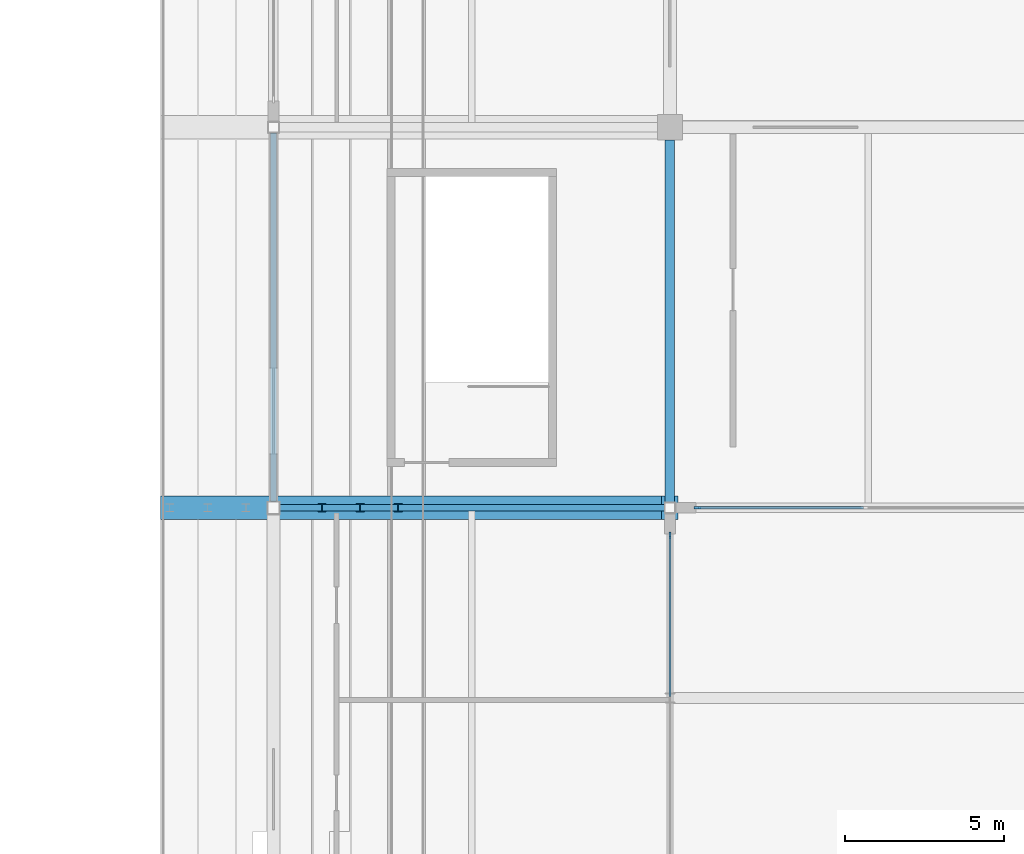
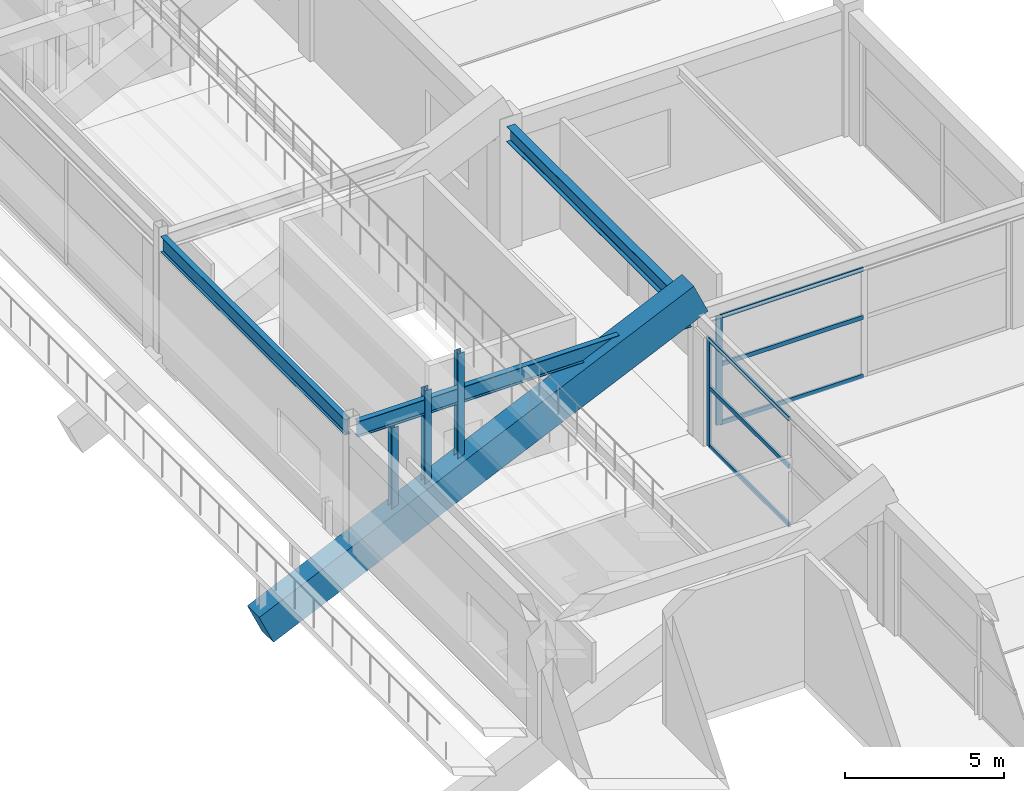
# One storey, part 55 of 128: 11 members, 4 beams, 2 elements without a shape of their own.
"""IFC4 building model written with IfcOpenShell, lengths in metres."""

from ifc_helpers import new_model, si_unit, direction, frame, origin, origin_2d, place, context, subcontext, project, spatial, rectangle, i_section, extrude, material, layer, layer_set, material_profile, profile_set, type_object, element, aggregate, save


model = new_model("IFC4")

# Units and contexts
model_context = context("Model", 3, precision=1e-05, world=origin(), true_north=direction((0.0, 1.0)))
body_context = subcontext(model_context, "Body", "Model", "MODEL_VIEW")
ifc_project = project(units=[si_unit("LENGTHUNIT", "METRE"), si_unit("AREAUNIT", "SQUARE_METRE"), si_unit("VOLUMEUNIT", "CUBIC_METRE"), si_unit("PLANEANGLEUNIT", "RADIAN"), si_unit("MASSUNIT", "GRAM", prefix="KILO")], contexts=[model_context])

# Site, building, storey
site_placement = place(None, origin())
site = spatial("IfcSite", under=ifc_project, at=site_placement, CompositionType="ELEMENT")
building_placement = place(site_placement, origin())
building = spatial("IfcBuilding", under=site, at=building_placement, Name="Kazenohara Klinker Stadium", CompositionType="ELEMENT")
storey_placement = place(building_placement, frame((0.0, 0.0, 15.300048828125)))
storey = spatial("IfcBuildingStorey", under=building, at=storey_placement, Name="L03", CompositionType="ELEMENT", Elevation=15.300048828125)

# Beams
ifc_material_1 = material(Name="Steel S355", Category="steel")
ifc_material_profile_1 = material_profile(ifc_material_1, i_section(OverallWidth=0.199951171875, OverallDepth=0.60009765625, WebThickness=0.010986328125, FlangeThickness=0.01708984375, FilletRadius=0.012939453125, at=origin_2d()), Name="H-600x200x11x17")
ifc_profile_set_1 = profile_set([ifc_material_profile_1], Name="Steel S355")
beam_type_1 = type_object("IfcBeamType", Name="BM-ST04", PredefinedType="BEAM", material=ifc_profile_set_1)
beam_1_placement = place(storey_placement, frame((175.199951171875, 96.0, 4.4599609375), z_axis=(1.0, 0.0, 0.0), x_axis=(0.0, 1.0, 0.0)))
element("IfcBeam", 1, at=beam_1_placement, inside=storey, type_object=beam_type_1, Name="Primary girder SB04 L03 15-16/J", PredefinedType="BEAM", context=body_context, shape_type="SweptSolid", body=[
    extrude(i_section(OverallWidth=0.199951171875, OverallDepth=0.60009765625, WebThickness=0.010986328125, FlangeThickness=0.01708984375, FilletRadius=0.012939453125, at=origin_2d()), origin(), (0.0, 0.0, 1.0), 12.125),
])
beam_2_placement = place(storey_placement, frame((175.0, 96.199951171875, 4.4599609375), z_axis=(0.0, 1.0, 0.0), x_axis=(-1.0, 0.0, 0.0)))
element("IfcBeam", 2, at=beam_2_placement, inside=storey, type_object=beam_type_1, Name="Primary girder SB04 L03 15/J-K", PredefinedType="BEAM", context=body_context, shape_type="SweptSolid", body=[
    extrude(i_section(OverallWidth=0.199951171875, OverallDepth=0.60009765625, WebThickness=0.010986328125, FlangeThickness=0.01708984375, FilletRadius=0.012939453125, at=origin_2d()), origin(), (0.0, 0.0, 1.0), 11.625),
])
ifc_material_profile_2 = material_profile(ifc_material_1, i_section(OverallWidth=0.300048828125, OverallDepth=0.587890625, WebThickness=0.011962890625, FlangeThickness=0.02001953125, FilletRadius=0.02197265625, at=origin_2d()), Name="H-588x300x12x20")
ifc_profile_set_2 = profile_set([ifc_material_profile_2], Name="Steel S355")
beam_type_2 = type_object("IfcBeamType", Name="BM-ST05", PredefinedType="BEAM", material=ifc_profile_set_2)
beam_3_placement = place(storey_placement, frame((187.5, 96.175048828125, 4.466064453125), z_axis=(0.0, 1.0, 0.0), x_axis=(-1.0, 0.0, 0.0)))
element("IfcBeam", 3, at=beam_3_placement, inside=storey, type_object=beam_type_2, Name="Primary girder SB05 L03 16/J-K", PredefinedType="BEAM", context=body_context, shape_type="SweptSolid", body=[
    extrude(i_section(OverallWidth=0.300048828125, OverallDepth=0.587890625, WebThickness=0.011962890625, FlangeThickness=0.02001953125, FilletRadius=0.02197265625, at=origin_2d()), origin(), (0.0, 0.0, 1.0), 11.425048828125),
])

# Curtain wall, member
ifc_material_2 = material(Name="Anodised aluminium and triple glazing", Category="aluminium")
ifc_layer_1 = layer(ifc_material_2, 0.18994140625)
ifc_layer_set_1 = layer_set([ifc_layer_1], Name="Anodised aluminium and triple glazing")
curtain_wall_type_1 = type_object("IfcCurtainWallType", Name="CW-SYS-05", PredefinedType="USERDEFINED", material=ifc_layer_set_1)
curtain_wall_1_placement = place(storey_placement, origin())
curtain_wall_1 = element("IfcCurtainWall", 4, at=curtain_wall_1_placement, inside=storey, type_object=curtain_wall_type_1, Name="Unitised facade curtain wall CW05 L03 Y15-7", ObjectType="UNITISED CURTAIN WALL", PredefinedType="USERDEFINED")
ifc_material_3 = material(Name="Anodised aluminium 6063-T6", Category="aluminium")
ifc_material_profile_3 = material_profile(ifc_material_3, rectangle(XDim=0.074951171875, YDim=0.219970703125, at=origin_2d()), Name="ALU-MUL-75x220")
ifc_profile_set_3 = profile_set([ifc_material_profile_3], Name="Anodised aluminium 6063-T6")
member_type_1 = type_object("IfcMemberType", Name="CW-MUL-220", PredefinedType="MULLION", material=ifc_profile_set_3)
member_1_placement = place(storey_placement, frame((187.5, 95.133544921875, 0.0), z_axis=(0.0, 0.0, 1.0), x_axis=(-1.0, 0.0, 0.0)))
member_1 = element("IfcMember", 5, at=member_1_placement, type_object=member_type_1, Name="CW05 mullion 3", PredefinedType="MULLION", context=body_context, shape_type="SweptSolid", body=[
    extrude(rectangle(XDim=0.074951171875, YDim=0.219970703125, at=origin_2d()), origin(), (0.0, 0.0, 1.0), 4.159912109375),
])

ifc_layer_2 = layer(ifc_material_2, 0.179931640625)
ifc_layer_set_2 = layer_set([ifc_layer_2], Name="Anodised aluminium and triple glazing")
curtain_wall_type_2 = type_object("IfcCurtainWallType", Name="CW-SYS-02", PredefinedType="USERDEFINED", material=ifc_layer_set_2)
curtain_wall_2_placement = place(storey_placement, origin())
curtain_wall_2 = element("IfcCurtainWall", 6, at=curtain_wall_2_placement, inside=storey, type_object=curtain_wall_type_2, Name="Unitised facade curtain wall CW02 L03 X15-8", ObjectType="UNITISED CURTAIN WALL", PredefinedType="USERDEFINED")
member_2_placement = place(storey_placement, frame((188.366455078125, 96.0, 0.0), z_axis=(0.0, 0.0, 1.0), x_axis=(0.0, 1.0, 0.0)))
member_2 = element("IfcMember", 7, at=member_2_placement, type_object=member_type_1, Name="CW02 mullion 1", PredefinedType="MULLION", context=body_context, shape_type="SweptSolid", body=[
    extrude(rectangle(XDim=0.074951171875, YDim=0.219970703125, at=origin_2d()), origin(), (0.0, 0.0, 1.0), 4.171875),
])

# Member
ifc_material_profile_4 = material_profile(ifc_material_3, rectangle(XDim=0.074951171875, YDim=0.159912109375, at=origin_2d()), Name="ALU-TRN-75x160")
ifc_profile_set_4 = profile_set([ifc_material_profile_4], Name="Anodised aluminium 6063-T6")
member_type_2 = type_object("IfcMemberType", Name="CW-TRN-160", PredefinedType="USERDEFINED", material=ifc_profile_set_4)
member_3_placement = place(storey_placement, frame((187.5, 90.050048828125, 0.037353515625), z_axis=(0.0, 1.0, 0.0), x_axis=(-1.0, 0.0, 0.0)))
member_3 = element("IfcMember", 8, at=member_3_placement, type_object=member_type_2, Name="CW05 transom 2.1", ObjectType="TRANSOM", PredefinedType="USERDEFINED", context=body_context, shape_type="SweptSolid", body=[
    extrude(rectangle(XDim=0.074951171875, YDim=0.159912109375, at=origin_2d()), origin(), (0.0, 0.0, 1.0), 5.0458984375),
])

member_4_placement = place(storey_placement, frame((187.5, 90.050048828125, 2.287841796875), z_axis=(0.0, 1.0, 0.0), x_axis=(-1.0, 0.0, 0.0)))
member_4 = element("IfcMember", 9, at=member_4_placement, type_object=member_type_2, Name="CW05 transom 2.2", ObjectType="TRANSOM", PredefinedType="USERDEFINED", context=body_context, shape_type="SweptSolid", body=[
    extrude(rectangle(XDim=0.074951171875, YDim=0.159912109375, at=origin_2d()), origin(), (0.0, 0.0, 1.0), 5.0458984375),
])

member_5_placement = place(storey_placement, frame((187.5, 90.050048828125, 4.12255859375), z_axis=(0.0, 1.0, 0.0), x_axis=(-1.0, 0.0, 0.0)))
member_5 = element("IfcMember", 10, at=member_5_placement, type_object=member_type_2, Name="CW05 transom 2.3", ObjectType="TRANSOM", PredefinedType="USERDEFINED", context=body_context, shape_type="SweptSolid", body=[
    extrude(rectangle(XDim=0.074951171875, YDim=0.159912109375, at=origin_2d()), origin(), (0.0, 0.0, 1.0), 5.0458984375),
])

aggregate(curtain_wall_1, [member_1, member_3, member_4, member_5])

member_6_placement = place(storey_placement, frame((188.404052734375, 96.0, 0.037353515625), z_axis=(1.0, 0.0, 0.0), x_axis=(0.0, 1.0, 0.0)))
member_6 = element("IfcMember", 11, at=member_6_placement, type_object=member_type_2, Name="CW02 transom 1.1", ObjectType="TRANSOM", PredefinedType="USERDEFINED", context=body_context, shape_type="SweptSolid", body=[
    extrude(rectangle(XDim=0.074951171875, YDim=0.159912109375, at=origin_2d()), origin(), (0.0, 0.0, 1.0), 5.196044921875),
])

member_7_placement = place(storey_placement, frame((188.404052734375, 96.0, 2.29443359375), z_axis=(1.0, 0.0, 0.0), x_axis=(0.0, 1.0, 0.0)))
member_7 = element("IfcMember", 12, at=member_7_placement, type_object=member_type_2, Name="CW02 transom 1.2", ObjectType="TRANSOM", PredefinedType="USERDEFINED", context=body_context, shape_type="SweptSolid", body=[
    extrude(rectangle(XDim=0.074951171875, YDim=0.159912109375, at=origin_2d()), origin(), (0.0, 0.0, 1.0), 5.196044921875),
])

member_8_placement = place(storey_placement, frame((188.404052734375, 96.0, 4.134521484375), z_axis=(1.0, 0.0, 0.0), x_axis=(0.0, 1.0, 0.0)))
member_8 = element("IfcMember", 13, at=member_8_placement, type_object=member_type_2, Name="CW02 transom 1.3", ObjectType="TRANSOM", PredefinedType="USERDEFINED", context=body_context, shape_type="SweptSolid", body=[
    extrude(rectangle(XDim=0.074951171875, YDim=0.159912109375, at=origin_2d()), origin(), (0.0, 0.0, 1.0), 5.196044921875),
])

aggregate(curtain_wall_2, [member_2, member_6, member_7, member_8])

# Members
ifc_material_profile_5 = material_profile(ifc_material_1, i_section(OverallWidth=0.25, OverallDepth=0.25, WebThickness=0.009033203125, FlangeThickness=0.013916015625, FilletRadius=0.012939453125, at=origin_2d()), Name="H-250x250x9x14")
ifc_profile_set_5 = profile_set([ifc_material_profile_5], Name="Steel S355")
member_type_3 = type_object("IfcMemberType", Name="MEM-STR02", PredefinedType="STRUT", material=ifc_profile_set_5)
member_9_placement = place(storey_placement, frame((178.929931640625, 96.0, 2.04541015625), z_axis=(0.0, 0.0, 1.0), x_axis=(1.0, 0.0, 0.0)))
element("IfcMember", 14, at=member_9_placement, inside=storey, type_object=member_type_3, Name="Precast tier riser stool UPPER-E-01-08", PredefinedType="STRUT", context=body_context, shape_type="SweptSolid", body=[
    extrude(i_section(OverallWidth=0.25, OverallDepth=0.25, WebThickness=0.009033203125, FlangeThickness=0.013916015625, FilletRadius=0.012939453125, at=origin_2d()), origin(), (0.0, 0.0, 1.0), 4.074462890625),
])
member_10_placement = place(storey_placement, frame((177.72998046875, 96.0, 1.49853515625), z_axis=(0.0, 0.0, 1.0), x_axis=(1.0, 0.0, 0.0)))
element("IfcMember", 15, at=member_10_placement, inside=storey, type_object=member_type_3, Name="Precast tier riser stool UPPER-E-02-08", PredefinedType="STRUT", context=body_context, shape_type="SweptSolid", body=[
    extrude(i_section(OverallWidth=0.25, OverallDepth=0.25, WebThickness=0.009033203125, FlangeThickness=0.013916015625, FilletRadius=0.012939453125, at=origin_2d()), origin(), (0.0, 0.0, 1.0), 3.613037109375),
])
member_11_placement = place(storey_placement, frame((176.530029296875, 96.0, 0.95166015625), z_axis=(0.0, 0.0, 1.0), x_axis=(1.0, 0.0, 0.0)))
element("IfcMember", 16, at=member_11_placement, inside=storey, type_object=member_type_3, Name="Precast tier riser stool UPPER-E-03-08", PredefinedType="STRUT", context=body_context, shape_type="SweptSolid", body=[
    extrude(i_section(OverallWidth=0.25, OverallDepth=0.25, WebThickness=0.009033203125, FlangeThickness=0.013916015625, FilletRadius=0.012939453125, at=origin_2d()), origin(), (0.0, 0.0, 1.0), 3.151611328125),
])

# Beam
ifc_material_4 = material(Name="Precast concrete C50/60", Category="concrete")
ifc_material_profile_6 = material_profile(ifc_material_4, rectangle(XDim=0.75, YDim=1.25, at=origin_2d()), Name="PC-RAKER-750x1250")
ifc_profile_set_6 = profile_set([ifc_material_profile_6], Name="Precast concrete C50/60")
beam_type_3 = type_object("IfcBeamType", Name="RAKER-RK02", PredefinedType="USERDEFINED", material=ifc_profile_set_6)
beam_4_placement = place(storey_placement, frame((187.5, 96.0, 5.351318359375), z_axis=(-0.909973134945, 0.0, -0.414667208348), x_axis=(0.0, -1.0, 0.0)))
element("IfcBeam", 17, at=beam_4_placement, inside=storey, type_object=beam_type_3, Name="Precast bowl raker girder RK02 UPPER East J", ObjectType="RAKER", PredefinedType="USERDEFINED", context=body_context, shape_type="SweptSolid", body=[
    extrude(rectangle(XDim=0.75, YDim=1.25, at=origin_2d()), origin(), (0.0, 0.0, 1.0), 17.36328125),
])

save(model, "model.ifc")
